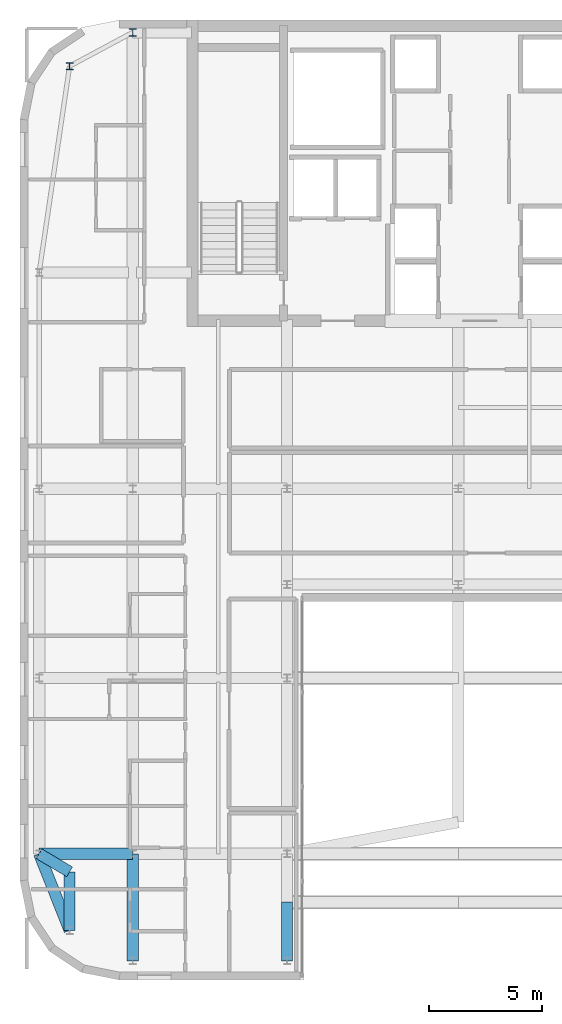
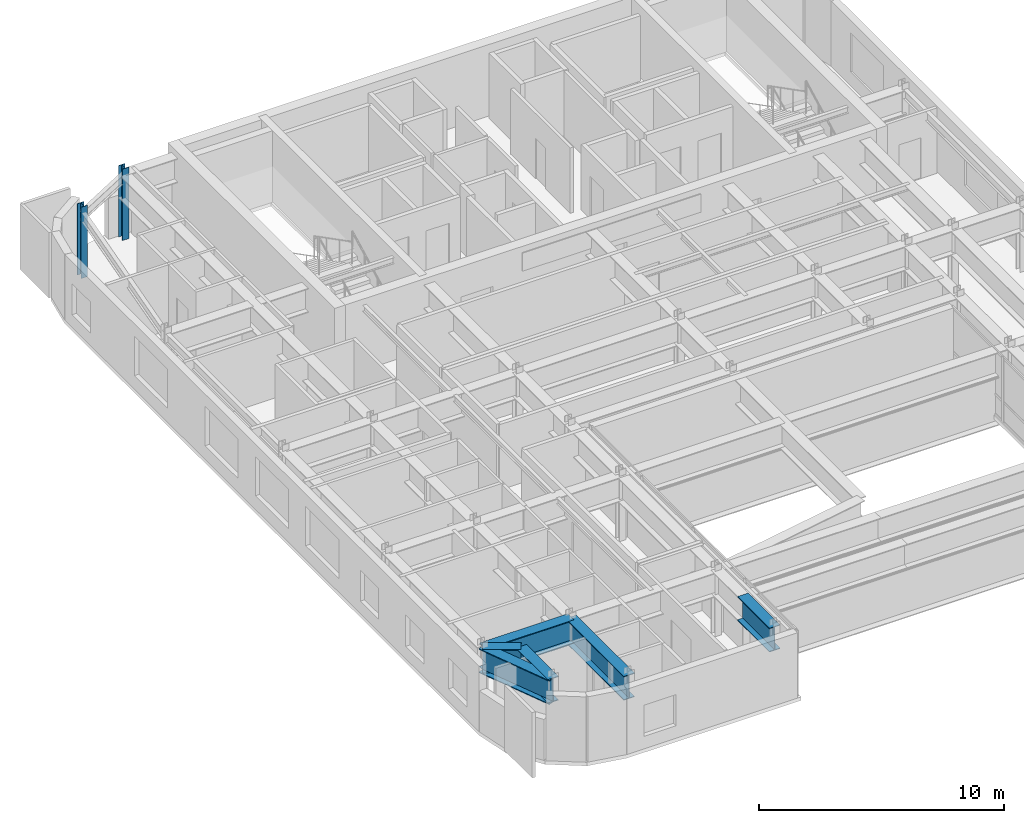
# One storey, part 3 of 21: 6 beams, 2 columns.
"""IFC4 building model written with IfcOpenShell, lengths in metres."""

from ifc_helpers import new_model, si_unit, direction, frame, origin, origin_2d, place, context, subcontext, project, spatial, i_section, extrude, source, transform, mapped, material, material_profile, profile_set, type_object, type_shapes, element, save


model = new_model("IFC4")

# Units and contexts
model_context = context("Model", 3, precision=1e-05, world=origin(), true_north=direction((0.0, 1.0)))
body_context = subcontext(model_context, "Body", "Model", "MODEL_VIEW")
ifc_project = project(units=[si_unit("LENGTHUNIT", "METRE"), si_unit("AREAUNIT", "SQUARE_METRE"), si_unit("VOLUMEUNIT", "CUBIC_METRE"), si_unit("PLANEANGLEUNIT", "RADIAN"), si_unit("MASSUNIT", "GRAM", prefix="KILO")], contexts=[model_context])

# Site, building, storey
site_placement = place(None, origin())
site = spatial("IfcSite", under=ifc_project, at=site_placement, CompositionType="ELEMENT")
building_placement = place(site_placement, origin())
building = spatial("IfcBuilding", under=site, at=building_placement, Name="Tolvann Quenvar Hotel", CompositionType="ELEMENT")
storey_placement = place(building_placement, frame((0.0, 0.0, 266.5)))
storey = spatial("IfcBuildingStorey", under=building, at=storey_placement, Name="L71", CompositionType="ELEMENT", Elevation=266.5)

# Columns
ifc_material = material(Name="Steel Grade 350", Category="steel")
ifc_material_profile_1 = material_profile(ifc_material, i_section(OverallWidth=0.30908203125, OverallDepth=0.321044921875, WebThickness=0.013916015625, FlangeThickness=0.021728515625, FilletRadius=0.0166015625, at=origin_2d()), Name="310UC137")
ifc_profile_set_1 = profile_set([ifc_material_profile_1], Name="Steel Grade 350")
column_type = type_object("IfcColumnType", Name="COL_310UC137", PredefinedType="COLUMN", material=ifc_profile_set_1)
shared_shape_1 = source(origin(), body_context, "Body", "SweptSolid", [
    extrude(i_section(OverallWidth=0.30908203125, OverallDepth=0.321044921875, WebThickness=0.013916015625, FlangeThickness=0.021728515625, FilletRadius=0.0166015625, at=origin_2d()), origin(), (0.0, 0.0, 1.0), 3.550048828125),
])
type_shapes(column_type, [shared_shape_1])
for number, where, z_axis, x_axis, name in (
    (1, (4.800048828125, 43.14990234375, 0.0), (0.0, 0.0, 1.0), (1.0, 0.0, 0.0), "Column BN (L71)"),
    (2, (7.60009765625, 44.64990234375, 0.0), (0.0, 0.0, 1.0), (1.0, 0.0, 0.0), "Column CN (L71)"),
):
    element("IfcColumn", number, at=place(storey_placement, frame(where, z_axis=z_axis, x_axis=x_axis)), inside=storey, type_object=column_type, Name=name, PredefinedType="COLUMN", context=body_context, shape_type="MappedRepresentation", body=[
        mapped(shared_shape_1, transform((0.0, 0.0, 0.0), x_axis=(1.0, 0.0, 0.0), y_axis=(0.0, 1.0, 0.0), z_axis=(0.0, 0.0, 1.0), scale=1.0)),
    ])

# Beams
ifc_material_profile_2 = material_profile(ifc_material, i_section(OverallWidth=0.5, OverallDepth=1.199951171875, WebThickness=0.01611328125, FlangeThickness=0.0400390625, at=origin_2d()), Name="1200WB455")
ifc_profile_set_2 = profile_set([ifc_material_profile_2], Name="Steel Grade 350")
beam_type = type_object("IfcBeamType", Name="BM_TG_1200WB455", PredefinedType="USERDEFINED", material=ifc_profile_set_2)
shared_shape_2 = source(origin(), body_context, "Body", "SweptSolid", [
    extrude(i_section(OverallWidth=0.5, OverallDepth=1.199951171875, WebThickness=0.01611328125, FlangeThickness=0.0400390625, at=origin_2d()), origin(), (0.0, 0.0, 1.0), 2.599853515625),
])
beam_1_placement = place(storey_placement, frame((4.800048828125, 7.39990234375, 2.64990234375), z_axis=(0.0, -1.0, 0.0), x_axis=(1.0, 0.0, 0.0)))
element("IfcBeam", 3, at=beam_1_placement, inside=storey, type_object=beam_type, Name="TG-AUTO2-L71-B2-1", ObjectType="TRANSFER GIRDER", PredefinedType="USERDEFINED", context=body_context, shape_type="MappedRepresentation", body=[
    mapped(shared_shape_2, transform((0.0, 0.0, 0.0), x_axis=(1.0, 0.0, 0.0), y_axis=(0.0, 1.0, 0.0), z_axis=(0.0, 0.0, 1.0), scale=1.0)),
])
shared_shape_3 = source(origin(), body_context, "Body", "SweptSolid", [
    extrude(i_section(OverallWidth=0.5, OverallDepth=1.199951171875, WebThickness=0.01611328125, FlangeThickness=0.0400390625, at=origin_2d()), origin(), (0.0, 0.0, 1.0), 4.150146484375),
])
beam_2_placement = place(storey_placement, frame((3.449951171875, 8.199951171875, 2.64990234375), z_axis=(1.0, 0.0, 0.0), x_axis=(0.0, 1.0, 0.0)))
element("IfcBeam", 4, at=beam_2_placement, inside=storey, type_object=beam_type, Name="BM-L71-EW-3-B3-C3", ObjectType="TRANSFER GIRDER", PredefinedType="USERDEFINED", context=body_context, shape_type="MappedRepresentation", body=[
    mapped(shared_shape_3, transform((0.0, 0.0, 0.0), x_axis=(1.0, 0.0, 0.0), y_axis=(0.0, 1.0, 0.0), z_axis=(0.0, 0.0, 1.0), scale=1.0)),
])
shared_shape_4 = source(origin(), body_context, "Body", "SweptSolid", [
    extrude(i_section(OverallWidth=0.5, OverallDepth=1.199951171875, WebThickness=0.01611328125, FlangeThickness=0.0400390625, at=origin_2d()), origin(), (0.0, 0.0, 1.0), 3.658203125),
])
beam_3_placement = place(storey_placement, frame((4.800048828125, 4.800048828125, 2.64990234375), z_axis=(-0.369065163807, 0.929403521009, 0.0), x_axis=(-0.929403521009, -0.369065163807, 0.0)))
element("IfcBeam", 5, at=beam_3_placement, inside=storey, type_object=beam_type, Name="BM-L71-NS-B2-B3", ObjectType="TRANSFER GIRDER", PredefinedType="USERDEFINED", context=body_context, shape_type="MappedRepresentation", body=[
    mapped(shared_shape_4, transform((0.0, 0.0, 0.0), x_axis=(1.0, 0.0, 0.0), y_axis=(0.0, 1.0, 0.0), z_axis=(0.0, 0.0, 1.0), scale=1.0)),
])
shared_shape_5 = source(origin(), body_context, "Body", "SweptSolid", [
    extrude(i_section(OverallWidth=0.5, OverallDepth=1.199951171875, WebThickness=0.01611328125, FlangeThickness=0.0400390625, at=origin_2d()), origin(), (0.0, 0.0, 1.0), 4.75),
])
beam_4_placement = place(storey_placement, frame((7.60009765625, 3.449951171875, 2.64990234375), z_axis=(0.0, 1.0, 0.0), x_axis=(-1.0, 0.0, 0.0)))
element("IfcBeam", 6, at=beam_4_placement, inside=storey, type_object=beam_type, Name="Setback Transfer Girder L71-C2", ObjectType="TRANSFER GIRDER", PredefinedType="USERDEFINED", context=body_context, shape_type="MappedRepresentation", body=[
    mapped(shared_shape_5, transform((0.0, 0.0, 0.0), x_axis=(1.0, 0.0, 0.0), y_axis=(0.0, 1.0, 0.0), z_axis=(0.0, 0.0, 1.0), scale=1.0)),
])
shared_shape_6 = source(origin(), body_context, "Body", "SweptSolid", [
    extrude(i_section(OverallWidth=0.5, OverallDepth=1.199951171875, WebThickness=0.01611328125, FlangeThickness=0.0400390625, at=origin_2d()), origin(), (0.0, 0.0, 1.0), 2.60009765625),
])
beam_5_placement = place(storey_placement, frame((14.449951171875, 3.449951171875, 2.64990234375), z_axis=(0.0, 1.0, 0.0), x_axis=(-1.0, 0.0, 0.0)))
element("IfcBeam", 7, at=beam_5_placement, inside=storey, type_object=beam_type, Name="TG-L71-NS-D1", ObjectType="TRANSFER GIRDER", PredefinedType="USERDEFINED", context=body_context, shape_type="MappedRepresentation", body=[
    mapped(shared_shape_6, transform((0.0, 0.0, 0.0), x_axis=(1.0, 0.0, 0.0), y_axis=(0.0, 1.0, 0.0), z_axis=(0.0, 0.0, 1.0), scale=1.0)),
])
shared_shape_7 = source(origin(), body_context, "Body", "SweptSolid", [
    extrude(i_section(OverallWidth=0.5, OverallDepth=1.199951171875, WebThickness=0.01611328125, FlangeThickness=0.0400390625, at=origin_2d()), origin(), (0.0, 0.0, 1.0), 1.5693359375),
])
type_shapes(beam_type, [shared_shape_2, shared_shape_3, shared_shape_4, shared_shape_5, shared_shape_6, shared_shape_7])
beam_6_placement = place(storey_placement, frame((3.449951171875, 8.199951171875, 2.64990234375), z_axis=(0.860294060625, -0.50979812598, 0.0), x_axis=(0.50979812598, 0.860294060625, 0.0)))
element("IfcBeam", 8, at=beam_6_placement, inside=storey, type_object=beam_type, Name="TG-AUTO1-L71-B2-1", ObjectType="TRANSFER GIRDER", PredefinedType="USERDEFINED", context=body_context, shape_type="MappedRepresentation", body=[
    mapped(shared_shape_7, transform((0.0, 0.0, 0.0), x_axis=(1.0, 0.0, 0.0), y_axis=(0.0, 1.0, 0.0), z_axis=(0.0, 0.0, 1.0), scale=1.0)),
])

save(model, "model.ifc")
